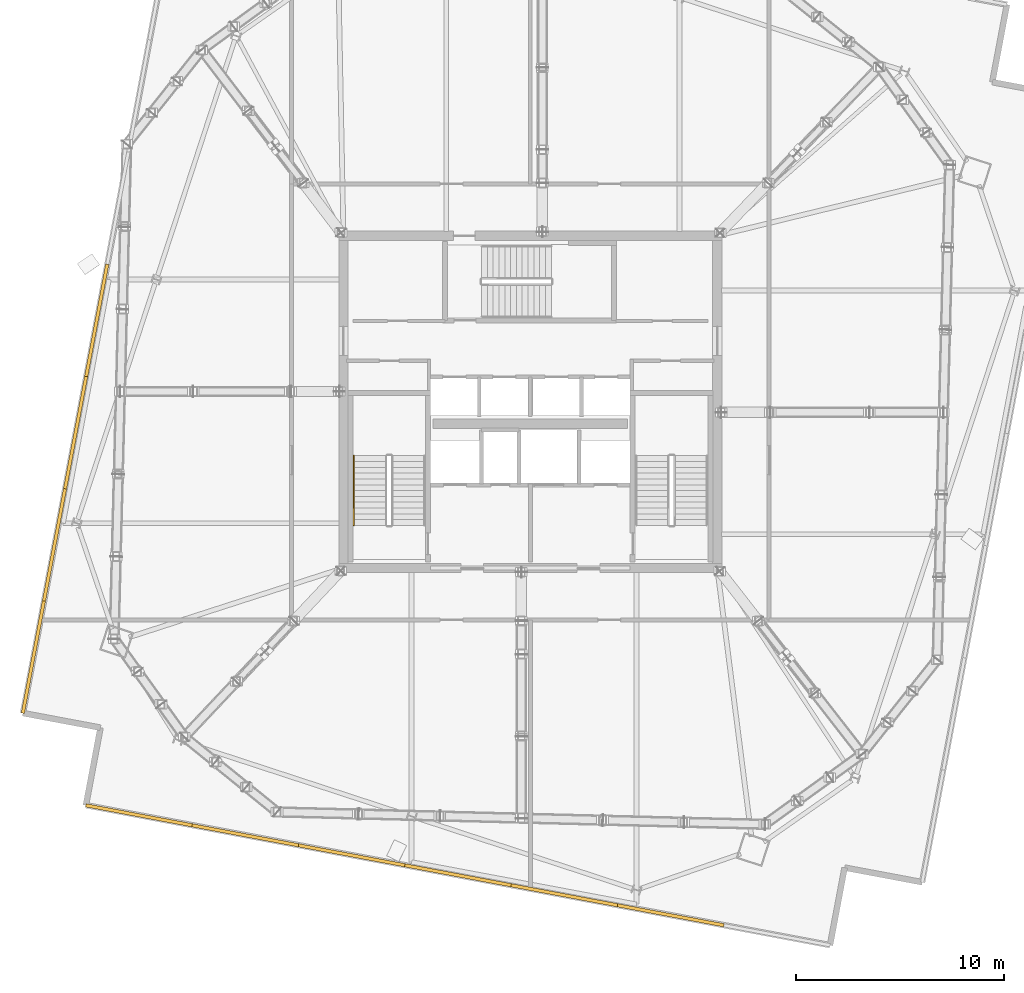
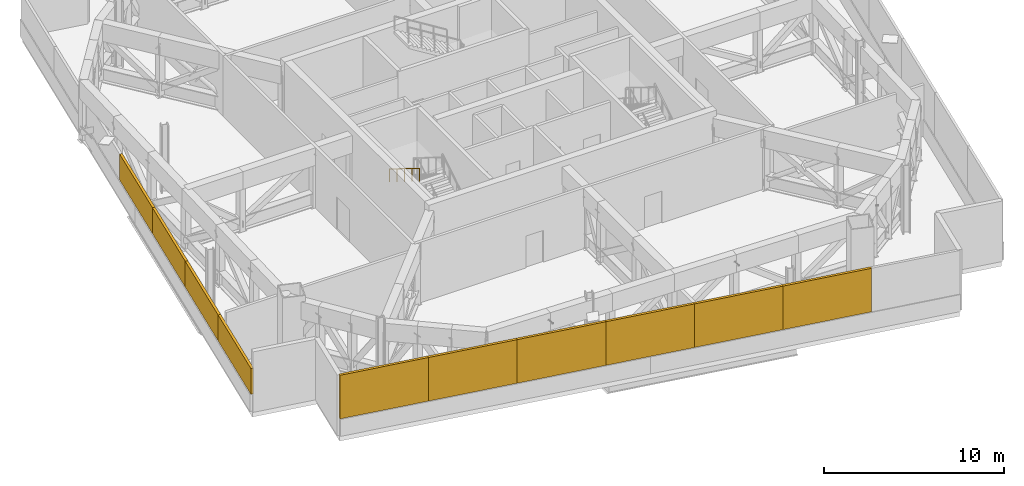
# One storey, part 13 of 15: 10 shading devices, 1 railing.
"""IFC4 building model written with IfcOpenShell, lengths in metres."""

from ifc_helpers import new_model, si_unit, direction, frame, origin, origin_2d, place, context, subcontext, project, spatial, rectangle, extrude, source, transform, mapped, material, layer, layer_set, type_object, element, save


model = new_model("IFC4")

# Units and contexts
model_context = context("Model", 3, precision=1e-05, world=origin(), true_north=direction((0.0, 1.0)))
body_context = subcontext(model_context, "Body", "Model", "MODEL_VIEW")
ifc_project = project(units=[si_unit("LENGTHUNIT", "METRE"), si_unit("AREAUNIT", "SQUARE_METRE"), si_unit("VOLUMEUNIT", "CUBIC_METRE"), si_unit("PLANEANGLEUNIT", "RADIAN"), si_unit("MASSUNIT", "GRAM", prefix="KILO")], contexts=[model_context])

# Site, building, storey
site_placement = place(None, origin())
site = spatial("IfcSite", under=ifc_project, at=site_placement, CompositionType="ELEMENT")
building_placement = place(site_placement, origin())
building = spatial("IfcBuilding", under=site, at=building_placement, Name="Haldenkirk Collegiate Tower", CompositionType="ELEMENT")
storey_placement = place(building_placement, frame((0.0, 0.0, 293.699951171875)))
storey = spatial("IfcBuildingStorey", under=building, at=storey_placement, Name="L74", CompositionType="ELEMENT", Elevation=293.699951171875)

# Railing
ifc_material_1 = material(Name="Painted architectural tubular steel", Category="steel")
railing_type = type_object("IfcRailingType", Name="RLG-STAIR-HANDRAIL-900", PredefinedType="HANDRAIL", material=ifc_material_1)
railing_placement = place(storey_placement, frame((27.5, 23.409912109375, 2.423095703125)))
element("IfcRailing", 1, at=railing_placement, inside=storey, type_object=railing_type, Name="L74 ST-1 stair handrail 2", PredefinedType="HANDRAIL", context=body_context, shape_type="SweptSolid", body=[
    extrude(rectangle(XDim=0.048095703125, YDim=0.048095703125, at=origin_2d()), frame((0.0, 0.0, 0.8759765625), z_axis=(0.0, -0.850606129759, 0.525803396734), x_axis=(1.0, 0.0, 0.0)), (0.0, 0.0, 1.0), 3.949951171875),
    extrude(rectangle(XDim=0.0419921875, YDim=0.0419921875, at=origin_2d()), origin(), (0.0, 0.0, 1.0), 0.851806640625),
    extrude(rectangle(XDim=0.0419921875, YDim=0.0419921875, at=origin_2d()), frame((0.0, -0.83984375, 0.519287109375)), (0.0, 0.0, 1.0), 0.851806640625),
    extrude(rectangle(XDim=0.0419921875, YDim=0.0419921875, at=origin_2d()), frame((0.0, -1.679931640625, 1.03857421875)), (0.0, 0.0, 1.0), 0.851806640625),
    extrude(rectangle(XDim=0.0419921875, YDim=0.0419921875, at=origin_2d()), frame((0.0, -2.52001953125, 1.5576171875)), (0.0, 0.0, 1.0), 0.851806640625),
    extrude(rectangle(XDim=0.0419921875, YDim=0.0419921875, at=origin_2d()), frame((0.0, -3.35986328125, 2.076904296875)), (0.0, 0.0, 1.0), 0.851806640625),
])

# Shading devices
ifc_material_2 = material(Name="Anodised architectural bronze aluminium", Category="aluminium")
ifc_layer = layer(ifc_material_2, 0.139892578125)
ifc_layer_set = layer_set([ifc_layer], Name="Anodised architectural bronze aluminium")
shading_device_type = type_object("IfcShadingDeviceType", Name="SHD-LOUVRE-CROWN", PredefinedType="JALOUSIE", material=ifc_layer_set)
shared_shape_1 = source(origin(), body_context, "Body", "SweptSolid", [
    extrude(rectangle(XDim=5.210693359375, YDim=0.159912109375, at=origin_2d()), origin(), (0.0, 0.0, 1.0), 2.949951171875),
])
for number, where, z_axis, x_axis, name in (
    (2, (42.756103515625, 1.275634765625, 1.14990234375), (0.0, 0.0, 1.0), (-0.982774447059, 0.184809053369, 0.0), "L74 mechanical intake louvre screen W2"),
    (3, (37.635009765625, 2.238525390625, 1.14990234375), (0.0, 0.0, 1.0), (-0.982774447059, 0.184809053369, 0.0), "L74 mechanical intake louvre screen W3"),
    (4, (32.513916015625, 3.20166015625, 1.14990234375), (0.0, 0.0, 1.0), (-0.982774447059, 0.184809053369, 0.0), "L74 mechanical intake louvre screen W4"),
    (5, (27.39306640625, 4.16455078125, 1.14990234375), (0.0, 0.0, 1.0), (-0.982774447059, 0.184809053369, 0.0), "L74 mechanical intake louvre screen W5"),
    (6, (22.272216796875, 5.12744140625, 1.14990234375), (0.0, 0.0, 1.0), (-0.982774447059, 0.184809053369, 0.0), "L74 mechanical intake louvre screen W6"),
    (7, (17.151123046875, 6.090576171875, 1.14990234375), (0.0, 0.0, 1.0), (-0.982774447059, 0.184809053369, 0.0), "L74 mechanical intake louvre screen W7"),
):
    element("IfcShadingDevice", number, at=place(storey_placement, frame(where, z_axis=z_axis, x_axis=x_axis)), inside=storey, type_object=shading_device_type, Name=name, PredefinedType="JALOUSIE", context=body_context, shape_type="MappedRepresentation", body=[
        mapped(shared_shape_1, transform((0.0, 0.0, 0.0), x_axis=(1.0, 0.0, 0.0), y_axis=(0.0, 1.0, 0.0), z_axis=(0.0, 0.0, 1.0), scale=1.0)),
    ])
shared_shape_2 = source(origin(), body_context, "Body", "SweptSolid", [
    extrude(rectangle(XDim=5.5, YDim=0.159912109375, at=origin_2d()), origin(), (0.0, 0.0, 1.0), 1.7451171875),
])
for number, where, z_axis, x_axis, name in (
    (8, (12.066650390625, 13.71142578125, 1.14990234375), (0.0, 0.0, 1.0), (0.184809053369, 0.982774447059, 0.0), "L74 mechanical intake louvre screen N1"),
    (9, (13.083251953125, 19.11669921875, 1.14990234375), (0.0, 0.0, 1.0), (0.184809053369, 0.982774447059, 0.0), "L74 mechanical intake louvre screen N2"),
    (10, (14.099609375, 24.52197265625, 1.14990234375), (0.0, 0.0, 1.0), (0.184809053369, 0.982774447059, 0.0), "L74 mechanical intake louvre screen N3"),
    (11, (15.1162109375, 29.92724609375, 1.14990234375), (0.0, 0.0, 1.0), (0.184809053369, 0.982774447059, 0.0), "L74 mechanical intake louvre screen N4"),
):
    element("IfcShadingDevice", number, at=place(storey_placement, frame(where, z_axis=z_axis, x_axis=x_axis)), inside=storey, type_object=shading_device_type, Name=name, PredefinedType="JALOUSIE", context=body_context, shape_type="MappedRepresentation", body=[
        mapped(shared_shape_2, transform((0.0, 0.0, 0.0), x_axis=(1.0, 0.0, 0.0), y_axis=(0.0, 1.0, 0.0), z_axis=(0.0, 0.0, 1.0), scale=1.0)),
    ])

save(model, "model.ifc")
